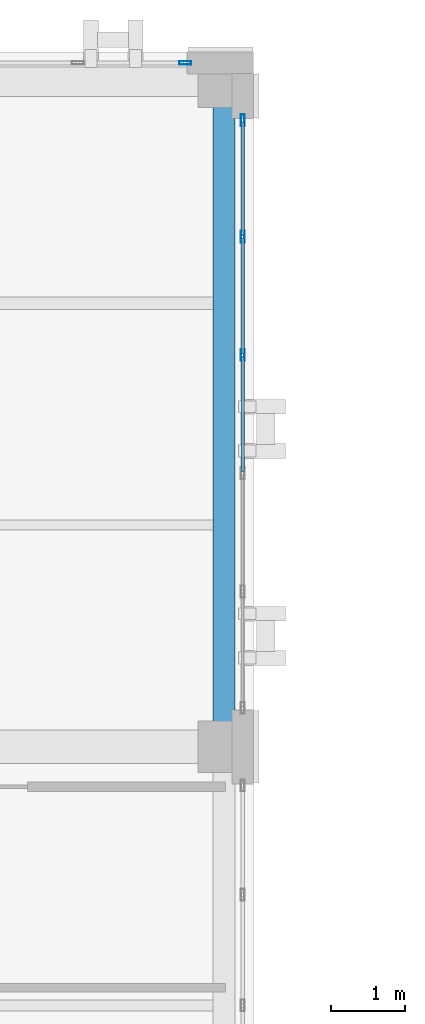
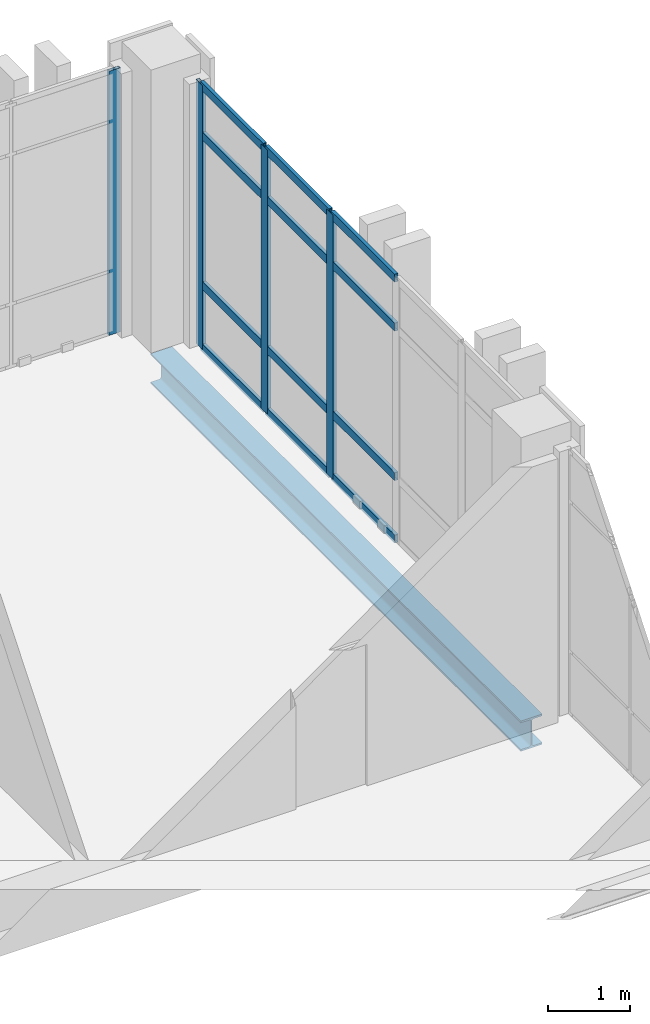
# One storey, part 110 of 165: 16 members, 1 beam, 2 elements without a shape of their own.
"""IFC4 building model written with IfcOpenShell, lengths in metres."""

from ifc_helpers import new_model, si_unit, direction, frame, origin, origin_2d, place, context, subcontext, project, spatial, hollow_rectangle, i_section, extrude, material, layer, layer_set, material_profile, profile_set, type_object, element, aggregate, save


model = new_model("IFC4")

# Units and contexts
model_context = context("Model", 3, precision=1e-05, world=origin(), true_north=direction((0.0, 1.0)))
body_context = subcontext(model_context, "Body", "Model", "MODEL_VIEW")
ifc_project = project(units=[si_unit("LENGTHUNIT", "METRE"), si_unit("AREAUNIT", "SQUARE_METRE"), si_unit("VOLUMEUNIT", "CUBIC_METRE"), si_unit("PLANEANGLEUNIT", "RADIAN"), si_unit("MASSUNIT", "GRAM", prefix="KILO")], contexts=[model_context])

# Site, building, storey
site_placement = place(None, origin())
site = spatial("IfcSite", under=ifc_project, at=site_placement, CompositionType="ELEMENT")
building_placement = place(site_placement, origin())
building = spatial("IfcBuilding", under=site, at=building_placement, Name="Qalavern Law Courts", CompositionType="ELEMENT")
storey_placement = place(building_placement, frame((0.0, 0.0, 14.39990234375)))
storey = spatial("IfcBuildingStorey", under=building, at=storey_placement, Name="L03", CompositionType="ELEMENT", Elevation=14.39990234375)

# Curtain wall, members
ifc_material_1 = material(Name="Anodised aluminium and insulated glazing", Category="aluminium")
ifc_layer = layer(ifc_material_1, 0.166015625)
ifc_layer_set = layer_set([ifc_layer], Name="Anodised aluminium and insulated glazing")
curtain_wall_type = type_object("IfcCurtainWallType", Name="ENV-CW-LIB", PredefinedType="USERDEFINED", material=ifc_layer_set)
curtain_wall_1_placement = place(storey_placement, origin())
curtain_wall_1 = element("IfcCurtainWall", 1, at=curtain_wall_1_placement, inside=storey, type_object=curtain_wall_type, Name="V5 unitised curtain wall L03 east 2", ObjectType="UNITISED CURTAIN WALL", PredefinedType="USERDEFINED")
ifc_material_2 = material(Name="Anodised aluminium", Category="aluminium")
ifc_material_profile_1 = material_profile(ifc_material_2, hollow_rectangle(XDim=0.048095703125, YDim=0.159912109375, WallThickness=0.00390625, at=origin_2d()), Name="ALU MULLION 48x160")
ifc_profile_set_1 = profile_set([ifc_material_profile_1], Name="Anodised aluminium")
member_type_1 = type_object("IfcMemberType", Name="ENV-CWM-48x160", PredefinedType="MULLION", material=ifc_profile_set_1)
member_1_placement = place(storey_placement, frame((66.652587890625, 108.89990234375, 0.0), z_axis=(0.0, 0.0, 1.0), x_axis=(-1.0, 0.0, 0.0)))
member_1 = element("IfcMember", 2, at=member_1_placement, type_object=member_type_1, Name="CW-05 mullion 4", PredefinedType="MULLION", context=body_context, shape_type="SweptSolid", body=[
    extrude(hollow_rectangle(XDim=0.048095703125, YDim=0.159912109375, WallThickness=0.00390625, at=origin_2d()), origin(), (0.0, 0.0, 1.0), 3.920166015625),
])
member_2_placement = place(storey_placement, frame((66.652587890625, 110.5, 0.0), z_axis=(0.0, 0.0, 1.0), x_axis=(-1.0, 0.0, 0.0)))
member_2 = element("IfcMember", 3, at=member_2_placement, type_object=member_type_1, Name="CW-05 mullion 5", PredefinedType="MULLION", context=body_context, shape_type="SweptSolid", body=[
    extrude(hollow_rectangle(XDim=0.048095703125, YDim=0.159912109375, WallThickness=0.00390625, at=origin_2d()), origin(), (0.0, 0.0, 1.0), 3.920166015625),
])
member_3_placement = place(storey_placement, frame((66.652587890625, 112.075927734375, 0.0), z_axis=(0.0, 0.0, 1.0), x_axis=(-1.0, 0.0, 0.0)))
member_3 = element("IfcMember", 4, at=member_3_placement, type_object=member_type_1, Name="CW-05 mullion 6", PredefinedType="MULLION", context=body_context, shape_type="SweptSolid", body=[
    extrude(hollow_rectangle(XDim=0.048095703125, YDim=0.159912109375, WallThickness=0.00390625, at=origin_2d()), origin(), (0.0, 0.0, 1.0), 3.920166015625),
])

# Curtain wall, member
curtain_wall_2_placement = place(storey_placement, origin())
curtain_wall_2 = element("IfcCurtainWall", 5, at=curtain_wall_2_placement, inside=storey, type_object=curtain_wall_type, Name="V5 unitised curtain wall L03 north 1", ObjectType="UNITISED CURTAIN WALL", PredefinedType="USERDEFINED")
member_4_placement = place(storey_placement, frame((65.8759765625, 112.8525390625, 0.0), z_axis=(0.0, 0.0, 1.0), x_axis=(0.0, -1.0, 0.0)))
member_4 = element("IfcMember", 6, at=member_4_placement, type_object=member_type_1, Name="CW-05 mullion 1", PredefinedType="MULLION", context=body_context, shape_type="SweptSolid", body=[
    extrude(hollow_rectangle(XDim=0.048095703125, YDim=0.159912109375, WallThickness=0.00390625, at=origin_2d()), origin(), (0.0, 0.0, 1.0), 3.920166015625),
])
aggregate(curtain_wall_2, [member_4])

# Member
ifc_material_profile_2 = material_profile(ifc_material_2, hollow_rectangle(XDim=0.048095703125, YDim=0.1201171875, WallThickness=0.00390625, at=origin_2d()), Name="ALU TRANSOM 48x120")
ifc_profile_set_2 = profile_set([ifc_material_profile_2], Name="Anodised aluminium")
member_type_2 = type_object("IfcMemberType", Name="ENV-CWT-48x120", PredefinedType="USERDEFINED", material=ifc_profile_set_2)
member_5_placement = place(storey_placement, frame((66.652587890625, 107.323974609375, 0.024169921875), z_axis=(0.0, 1.0, 0.0), x_axis=(-1.0, 0.0, 0.0)))
member_5 = element("IfcMember", 7, at=member_5_placement, type_object=member_type_2, Name="CW-05 transom 3.1", ObjectType="TRANSOM", PredefinedType="USERDEFINED", context=body_context, shape_type="SweptSolid", body=[
    extrude(hollow_rectangle(XDim=0.048095703125, YDim=0.1201171875, WallThickness=0.00390625, at=origin_2d()), origin(), (0.0, 0.0, 1.0), 1.552001953125),
])

member_6_placement = place(storey_placement, frame((66.652587890625, 107.323974609375, 0.9501953125), z_axis=(0.0, 1.0, 0.0), x_axis=(-1.0, 0.0, 0.0)))
member_6 = element("IfcMember", 8, at=member_6_placement, type_object=member_type_2, Name="CW-05 transom 3.2", ObjectType="TRANSOM", PredefinedType="USERDEFINED", context=body_context, shape_type="SweptSolid", body=[
    extrude(hollow_rectangle(XDim=0.048095703125, YDim=0.1201171875, WallThickness=0.00390625, at=origin_2d()), origin(), (0.0, 0.0, 1.0), 1.552001953125),
])

member_7_placement = place(storey_placement, frame((66.652587890625, 107.323974609375, 3.170166015625), z_axis=(0.0, 1.0, 0.0), x_axis=(-1.0, 0.0, 0.0)))
member_7 = element("IfcMember", 9, at=member_7_placement, type_object=member_type_2, Name="CW-05 transom 3.3", ObjectType="TRANSOM", PredefinedType="USERDEFINED", context=body_context, shape_type="SweptSolid", body=[
    extrude(hollow_rectangle(XDim=0.048095703125, YDim=0.1201171875, WallThickness=0.00390625, at=origin_2d()), origin(), (0.0, 0.0, 1.0), 1.552001953125),
])

member_8_placement = place(storey_placement, frame((66.652587890625, 107.323974609375, 3.89599609375), z_axis=(0.0, 1.0, 0.0), x_axis=(-1.0, 0.0, 0.0)))
member_8 = element("IfcMember", 10, at=member_8_placement, type_object=member_type_2, Name="CW-05 transom 3.4", ObjectType="TRANSOM", PredefinedType="USERDEFINED", context=body_context, shape_type="SweptSolid", body=[
    extrude(hollow_rectangle(XDim=0.048095703125, YDim=0.1201171875, WallThickness=0.00390625, at=origin_2d()), origin(), (0.0, 0.0, 1.0), 1.552001953125),
])

member_9_placement = place(storey_placement, frame((66.652587890625, 108.924072265625, 0.024169921875), z_axis=(0.0, 1.0, 0.0), x_axis=(-1.0, 0.0, 0.0)))
member_9 = element("IfcMember", 11, at=member_9_placement, type_object=member_type_2, Name="CW-05 transom 4.1", ObjectType="TRANSOM", PredefinedType="USERDEFINED", context=body_context, shape_type="SweptSolid", body=[
    extrude(hollow_rectangle(XDim=0.048095703125, YDim=0.1201171875, WallThickness=0.00390625, at=origin_2d()), origin(), (0.0, 0.0, 1.0), 1.552001953125),
])

member_10_placement = place(storey_placement, frame((66.652587890625, 108.924072265625, 0.9501953125), z_axis=(0.0, 1.0, 0.0), x_axis=(-1.0, 0.0, 0.0)))
member_10 = element("IfcMember", 12, at=member_10_placement, type_object=member_type_2, Name="CW-05 transom 4.2", ObjectType="TRANSOM", PredefinedType="USERDEFINED", context=body_context, shape_type="SweptSolid", body=[
    extrude(hollow_rectangle(XDim=0.048095703125, YDim=0.1201171875, WallThickness=0.00390625, at=origin_2d()), origin(), (0.0, 0.0, 1.0), 1.552001953125),
])

member_11_placement = place(storey_placement, frame((66.652587890625, 108.924072265625, 3.170166015625), z_axis=(0.0, 1.0, 0.0), x_axis=(-1.0, 0.0, 0.0)))
member_11 = element("IfcMember", 13, at=member_11_placement, type_object=member_type_2, Name="CW-05 transom 4.3", ObjectType="TRANSOM", PredefinedType="USERDEFINED", context=body_context, shape_type="SweptSolid", body=[
    extrude(hollow_rectangle(XDim=0.048095703125, YDim=0.1201171875, WallThickness=0.00390625, at=origin_2d()), origin(), (0.0, 0.0, 1.0), 1.552001953125),
])

member_12_placement = place(storey_placement, frame((66.652587890625, 108.924072265625, 3.89599609375), z_axis=(0.0, 1.0, 0.0), x_axis=(-1.0, 0.0, 0.0)))
member_12 = element("IfcMember", 14, at=member_12_placement, type_object=member_type_2, Name="CW-05 transom 4.4", ObjectType="TRANSOM", PredefinedType="USERDEFINED", context=body_context, shape_type="SweptSolid", body=[
    extrude(hollow_rectangle(XDim=0.048095703125, YDim=0.1201171875, WallThickness=0.00390625, at=origin_2d()), origin(), (0.0, 0.0, 1.0), 1.552001953125),
])

member_13_placement = place(storey_placement, frame((66.652587890625, 110.52392578125, 0.024169921875), z_axis=(0.0, 1.0, 0.0), x_axis=(-1.0, 0.0, 0.0)))
member_13 = element("IfcMember", 15, at=member_13_placement, type_object=member_type_2, Name="CW-05 transom 5.1", ObjectType="TRANSOM", PredefinedType="USERDEFINED", context=body_context, shape_type="SweptSolid", body=[
    extrude(hollow_rectangle(XDim=0.048095703125, YDim=0.1201171875, WallThickness=0.00390625, at=origin_2d()), origin(), (0.0, 0.0, 1.0), 1.528076171875),
])

member_14_placement = place(storey_placement, frame((66.652587890625, 110.52392578125, 0.9501953125), z_axis=(0.0, 1.0, 0.0), x_axis=(-1.0, 0.0, 0.0)))
member_14 = element("IfcMember", 16, at=member_14_placement, type_object=member_type_2, Name="CW-05 transom 5.2", ObjectType="TRANSOM", PredefinedType="USERDEFINED", context=body_context, shape_type="SweptSolid", body=[
    extrude(hollow_rectangle(XDim=0.048095703125, YDim=0.1201171875, WallThickness=0.00390625, at=origin_2d()), origin(), (0.0, 0.0, 1.0), 1.528076171875),
])

member_15_placement = place(storey_placement, frame((66.652587890625, 110.52392578125, 3.170166015625), z_axis=(0.0, 1.0, 0.0), x_axis=(-1.0, 0.0, 0.0)))
member_15 = element("IfcMember", 17, at=member_15_placement, type_object=member_type_2, Name="CW-05 transom 5.3", ObjectType="TRANSOM", PredefinedType="USERDEFINED", context=body_context, shape_type="SweptSolid", body=[
    extrude(hollow_rectangle(XDim=0.048095703125, YDim=0.1201171875, WallThickness=0.00390625, at=origin_2d()), origin(), (0.0, 0.0, 1.0), 1.528076171875),
])

member_16_placement = place(storey_placement, frame((66.652587890625, 110.52392578125, 3.89599609375), z_axis=(0.0, 1.0, 0.0), x_axis=(-1.0, 0.0, 0.0)))
member_16 = element("IfcMember", 18, at=member_16_placement, type_object=member_type_2, Name="CW-05 transom 5.4", ObjectType="TRANSOM", PredefinedType="USERDEFINED", context=body_context, shape_type="SweptSolid", body=[
    extrude(hollow_rectangle(XDim=0.048095703125, YDim=0.1201171875, WallThickness=0.00390625, at=origin_2d()), origin(), (0.0, 0.0, 1.0), 1.528076171875),
])

aggregate(curtain_wall_1, [member_1, member_2, member_3, member_5, member_6, member_7, member_8, member_9, member_10, member_11, member_12, member_13, member_14, member_15, member_16])

# Beam
ifc_material_3 = material(Name="Steel S355", Category="steel")
ifc_material_profile_3 = material_profile(ifc_material_3, i_section(OverallWidth=0.300048828125, OverallDepth=0.449951171875, WebThickness=0.013916015625, FlangeThickness=0.02587890625, FilletRadius=0.027099609375, at=origin_2d()), Name="HEB 450")
ifc_profile_set_3 = profile_set([ifc_material_profile_3], Name="Steel S355")
beam_type = type_object("IfcBeamType", Name="STR-SP-HEB450", PredefinedType="SPANDREL", material=ifc_profile_set_3)
beam_placement = place(storey_placement, frame((66.39990234375, 103.60009765625, -0.510009765625), z_axis=(0.0, 1.0, 0.0), x_axis=(-1.0, 0.0, 0.0)))
element("IfcBeam", 19, at=beam_placement, inside=storey, type_object=beam_type, Name="V5 Y-beam 9-2 L03", PredefinedType="SPANDREL", context=body_context, shape_type="SweptSolid", body=[
    extrude(i_section(OverallWidth=0.300048828125, OverallDepth=0.449951171875, WebThickness=0.013916015625, FlangeThickness=0.02587890625, FilletRadius=0.027099609375, at=origin_2d()), origin(), (0.0, 0.0, 1.0), 9.0),
])

save(model, "model.ifc")
